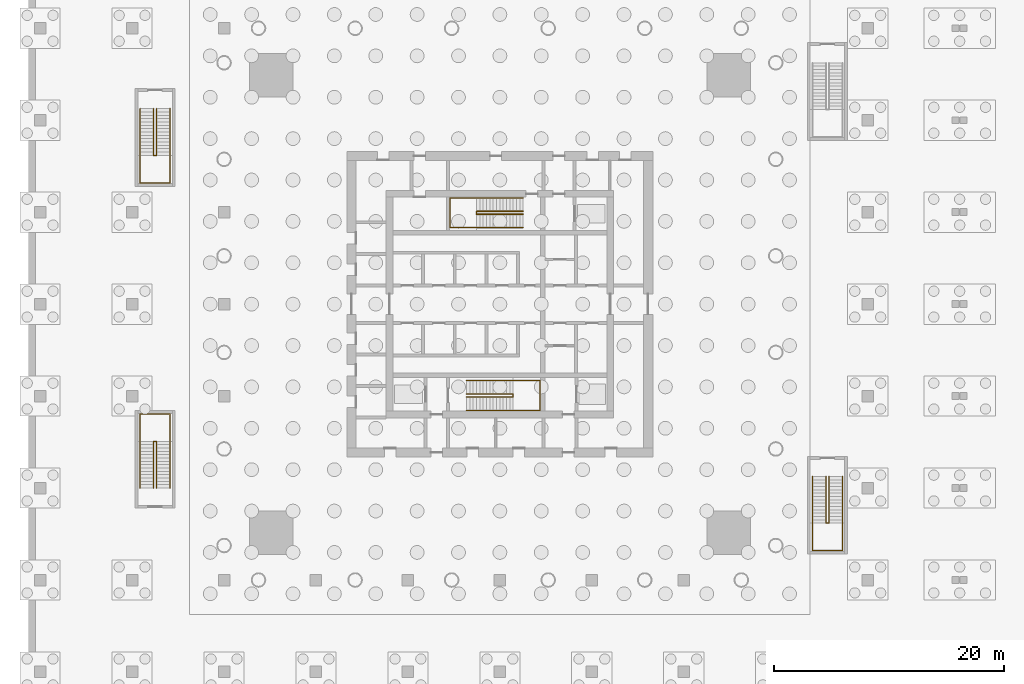
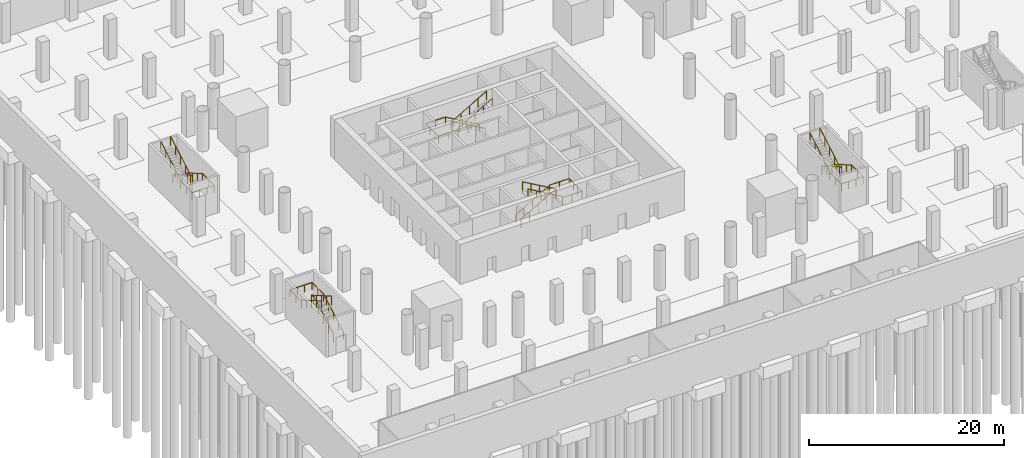
# One storey, part 21 of 24: 10 railings.
"""IFC4 building model written with IfcOpenShell, lengths in metres."""

from ifc_helpers import new_model, si_unit, direction, frame, origin, origin_2d, place, context, subcontext, project, spatial, circle, extrude, material, type_object, element, save


model = new_model("IFC4")

# Units and contexts
model_context = context("Model", 3, precision=1e-05, world=origin(), true_north=direction((0.0, 1.0)))
body_context = subcontext(model_context, "Body", "Model", "MODEL_VIEW")
ifc_project = project(units=[si_unit("LENGTHUNIT", "METRE"), si_unit("AREAUNIT", "SQUARE_METRE"), si_unit("VOLUMEUNIT", "CUBIC_METRE"), si_unit("PLANEANGLEUNIT", "RADIAN"), si_unit("MASSUNIT", "GRAM", prefix="KILO")], contexts=[model_context])

# Site, building, storey
site_placement = place(None, origin())
site = spatial("IfcSite", under=ifc_project, at=site_placement, CompositionType="ELEMENT")
building_placement = place(site_placement, origin())
building = spatial("IfcBuilding", under=site, at=building_placement, Name="Ostroluk Exchange", CompositionType="ELEMENT")
storey_placement = place(building_placement, frame((0.0, 0.0, -10.0)))
storey = spatial("IfcBuildingStorey", under=building, at=storey_placement, Name="B2", CompositionType="ELEMENT", Elevation=-10.0)

# Railings
ifc_material_1 = material(Name="Steel S355", Category="steel")
railing_type_1 = type_object("IfcRailingType", Name="Stair guard 1100", PredefinedType="GUARDRAIL", material=ifc_material_1)
railing_1_placement = place(storey_placement, frame((42.10009765625, 38.179931640625, 0.166748046875)))
element("IfcRailing", 1, at=railing_1_placement, inside=storey, type_object=railing_type_1, Name="Stair T1-S1 guard B2", PredefinedType="GUARDRAIL", context=body_context, shape_type="SweptSolid", body=[
    extrude(circle(Radius=0.02392578125, at=origin_2d()), frame((0.0, 0.0, 1.076171875), z_axis=(0.86701161382, 0.0, 0.498287930319), x_axis=(0.0, 1.0, 0.0)), (0.0, 0.0, 1.0), 4.6826171875),
    extrude(circle(Radius=0.02392578125, at=origin_2d()), frame((4.059814453125, 0.0, 3.4091796875), z_axis=(0.0, -1.0, 0.0), x_axis=(1.0, 0.0, 0.0)), (0.0, 0.0, 1.0), 0.260009765625),
    extrude(circle(Radius=0.02392578125, at=origin_2d()), frame((4.059814453125, -0.260009765625, 3.4091796875), z_axis=(0.0, 0.0, 1.0), x_axis=(1.0, 0.0, 0.0)), (0.0, 0.0, 1.0), 0.166748046875),
    extrude(circle(Radius=0.02392578125, at=origin_2d()), frame((4.059814453125, -0.260009765625, 3.576171875), z_axis=(-0.86701161382, 0.0, 0.498287930319), x_axis=(0.0, -1.0, 0.0)), (0.0, 0.0, 1.0), 4.6826171875),
    extrude(circle(Radius=0.02099609375, at=origin_2d()), origin(), (0.0, 0.0, 1.0), 1.052001953125),
    extrude(circle(Radius=0.02099609375, at=origin_2d()), frame((1.014892578125, 0.0, 0.583251953125)), (0.0, 0.0, 1.0), 1.052001953125),
    extrude(circle(Radius=0.02099609375, at=origin_2d()), frame((2.02978515625, 0.0, 1.16650390625)), (0.0, 0.0, 1.0), 1.052001953125),
    extrude(circle(Radius=0.02099609375, at=origin_2d()), frame((3.044921875, 0.0, 1.75)), (0.0, 0.0, 1.0), 1.052001953125),
    extrude(circle(Radius=0.02099609375, at=origin_2d()), frame((4.059814453125, 0.0, 2.333251953125)), (0.0, 0.0, 1.0), 1.052001953125),
    extrude(circle(Radius=0.02099609375, at=origin_2d()), frame((4.059814453125, -0.260009765625, 2.333251953125)), (0.0, 0.0, 1.0), 1.052001953125),
    extrude(circle(Radius=0.02099609375, at=origin_2d()), frame((4.059814453125, -0.260009765625, 2.5)), (0.0, 0.0, 1.0), 1.052001953125),
    extrude(circle(Radius=0.02099609375, at=origin_2d()), frame((3.044921875, -0.260009765625, 3.083251953125)), (0.0, 0.0, 1.0), 1.052001953125),
    extrude(circle(Radius=0.02099609375, at=origin_2d()), frame((2.02978515625, -0.260009765625, 3.66650390625)), (0.0, 0.0, 1.0), 1.052001953125),
    extrude(circle(Radius=0.02099609375, at=origin_2d()), frame((1.014892578125, -0.260009765625, 4.25)), (0.0, 0.0, 1.0), 1.052001953125),
    extrude(circle(Radius=0.02099609375, at=origin_2d()), frame((0.0, -0.260009765625, 4.833251953125)), (0.0, 0.0, 1.0), 1.052001953125),
])
railing_2_placement = place(storey_placement, frame((47.030029296875, 54.080078125, 0.166748046875)))
element("IfcRailing", 2, at=railing_2_placement, inside=storey, type_object=railing_type_1, Name="Stair T1-S2 guard B2", PredefinedType="GUARDRAIL", context=body_context, shape_type="SweptSolid", body=[
    extrude(circle(Radius=0.02392578125, at=origin_2d()), frame((0.0, 0.0, 1.076171875), z_axis=(-0.867024558463, 0.0, 0.498265406207), x_axis=(0.0, -1.0, 0.0)), (0.0, 0.0, 1.0), 4.682861328125),
    extrude(circle(Radius=0.02392578125, at=origin_2d()), frame((-4.06005859375, 0.0, 3.4091796875), z_axis=(0.0, -1.0, 0.0), x_axis=(1.0, 0.0, 0.0)), (0.0, 0.0, 1.0), 0.260009765625),
    extrude(circle(Radius=0.02392578125, at=origin_2d()), frame((-4.06005859375, -0.260009765625, 3.4091796875), z_axis=(0.0, 0.0, 1.0), x_axis=(1.0, 0.0, 0.0)), (0.0, 0.0, 1.0), 0.166748046875),
    extrude(circle(Radius=0.02392578125, at=origin_2d()), frame((-4.06005859375, -0.260009765625, 3.576171875), z_axis=(0.867024558463, 0.0, 0.498265406207), x_axis=(0.0, 1.0, 0.0)), (0.0, 0.0, 1.0), 4.682861328125),
    extrude(circle(Radius=0.02099609375, at=origin_2d()), origin(), (0.0, 0.0, 1.0), 1.052001953125),
    extrude(circle(Radius=0.02099609375, at=origin_2d()), frame((-1.01513671875, 0.0, 0.583251953125)), (0.0, 0.0, 1.0), 1.052001953125),
    extrude(circle(Radius=0.02099609375, at=origin_2d()), frame((-2.030029296875, 0.0, 1.16650390625)), (0.0, 0.0, 1.0), 1.052001953125),
    extrude(circle(Radius=0.02099609375, at=origin_2d()), frame((-3.044921875, 0.0, 1.75)), (0.0, 0.0, 1.0), 1.052001953125),
    extrude(circle(Radius=0.02099609375, at=origin_2d()), frame((-4.06005859375, 0.0, 2.333251953125)), (0.0, 0.0, 1.0), 1.052001953125),
    extrude(circle(Radius=0.02099609375, at=origin_2d()), frame((-4.06005859375, -0.260009765625, 2.333251953125)), (0.0, 0.0, 1.0), 1.052001953125),
    extrude(circle(Radius=0.02099609375, at=origin_2d()), frame((-4.06005859375, -0.260009765625, 2.5)), (0.0, 0.0, 1.0), 1.052001953125),
    extrude(circle(Radius=0.02099609375, at=origin_2d()), frame((-3.044921875, -0.260009765625, 3.083251953125)), (0.0, 0.0, 1.0), 1.052001953125),
    extrude(circle(Radius=0.02099609375, at=origin_2d()), frame((-2.030029296875, -0.260009765625, 3.66650390625)), (0.0, 0.0, 1.0), 1.052001953125),
    extrude(circle(Radius=0.02099609375, at=origin_2d()), frame((-1.01513671875, -0.260009765625, 4.25)), (0.0, 0.0, 1.0), 1.052001953125),
    extrude(circle(Radius=0.02099609375, at=origin_2d()), frame((0.0, -0.260009765625, 4.833251953125)), (0.0, 0.0, 1.0), 1.052001953125),
])
railing_3_placement = place(storey_placement, frame((15.1298828125, 30.0, 0.166748046875)))
element("IfcRailing", 3, at=railing_3_placement, inside=storey, type_object=railing_type_1, Name="Stair PS1 guard B2", PredefinedType="GUARDRAIL", context=body_context, shape_type="SweptSolid", body=[
    extrude(circle(Radius=0.02392578125, at=origin_2d()), frame((0.0, 0.0, 1.076171875), z_axis=(0.0, 0.867024558463, 0.498265406207), x_axis=(-1.0, 0.0, 0.0)), (0.0, 0.0, 1.0), 4.682861328125),
    extrude(circle(Radius=0.02392578125, at=origin_2d()), frame((0.0, 4.06005859375, 3.4091796875), z_axis=(-1.0, 0.0, 0.0), x_axis=(0.0, -1.0, 0.0)), (0.0, 0.0, 1.0), 0.259765625),
    extrude(circle(Radius=0.02392578125, at=origin_2d()), frame((-0.259765625, 4.06005859375, 3.4091796875), z_axis=(0.0, 0.0, 1.0), x_axis=(1.0, 0.0, 0.0)), (0.0, 0.0, 1.0), 0.166748046875),
    extrude(circle(Radius=0.02392578125, at=origin_2d()), frame((-0.259765625, 4.06005859375, 3.576171875), z_axis=(0.0, -0.867024558463, 0.498265406207), x_axis=(1.0, 0.0, 0.0)), (0.0, 0.0, 1.0), 4.682861328125),
    extrude(circle(Radius=0.02099609375, at=origin_2d()), origin(), (0.0, 0.0, 1.0), 1.052001953125),
    extrude(circle(Radius=0.02099609375, at=origin_2d()), frame((0.0, 1.01513671875, 0.583251953125)), (0.0, 0.0, 1.0), 1.052001953125),
    extrude(circle(Radius=0.02099609375, at=origin_2d()), frame((0.0, 2.030029296875, 1.16650390625)), (0.0, 0.0, 1.0), 1.052001953125),
    extrude(circle(Radius=0.02099609375, at=origin_2d()), frame((0.0, 3.044921875, 1.75)), (0.0, 0.0, 1.0), 1.052001953125),
    extrude(circle(Radius=0.02099609375, at=origin_2d()), frame((0.0, 4.06005859375, 2.333251953125)), (0.0, 0.0, 1.0), 1.052001953125),
    extrude(circle(Radius=0.02099609375, at=origin_2d()), frame((-0.259765625, 4.06005859375, 2.333251953125)), (0.0, 0.0, 1.0), 1.052001953125),
    extrude(circle(Radius=0.02099609375, at=origin_2d()), frame((-0.259765625, 4.06005859375, 2.5)), (0.0, 0.0, 1.0), 1.052001953125),
    extrude(circle(Radius=0.02099609375, at=origin_2d()), frame((-0.259765625, 3.044921875, 3.083251953125)), (0.0, 0.0, 1.0), 1.052001953125),
    extrude(circle(Radius=0.02099609375, at=origin_2d()), frame((-0.259765625, 2.030029296875, 3.66650390625)), (0.0, 0.0, 1.0), 1.052001953125),
    extrude(circle(Radius=0.02099609375, at=origin_2d()), frame((-0.259765625, 1.01513671875, 4.25)), (0.0, 0.0, 1.0), 1.052001953125),
    extrude(circle(Radius=0.02099609375, at=origin_2d()), frame((-0.259765625, 0.0, 4.833251953125)), (0.0, 0.0, 1.0), 1.052001953125),
])
railing_4_placement = place(storey_placement, frame((15.1298828125, 63.0, 0.166748046875)))
element("IfcRailing", 4, at=railing_4_placement, inside=storey, type_object=railing_type_1, Name="Stair PS2 guard B2", PredefinedType="GUARDRAIL", context=body_context, shape_type="SweptSolid", body=[
    extrude(circle(Radius=0.02392578125, at=origin_2d()), frame((0.0, 0.0, 1.076171875), z_axis=(0.0, -0.867024558463, 0.498265406207), x_axis=(1.0, 0.0, 0.0)), (0.0, 0.0, 1.0), 4.682861328125),
    extrude(circle(Radius=0.02392578125, at=origin_2d()), frame((0.0, -4.06005859375, 3.4091796875), z_axis=(-1.0, 0.0, 0.0), x_axis=(0.0, -1.0, 0.0)), (0.0, 0.0, 1.0), 0.259765625),
    extrude(circle(Radius=0.02392578125, at=origin_2d()), frame((-0.259765625, -4.06005859375, 3.4091796875), z_axis=(0.0, 0.0, 1.0), x_axis=(1.0, 0.0, 0.0)), (0.0, 0.0, 1.0), 0.166748046875),
    extrude(circle(Radius=0.02392578125, at=origin_2d()), frame((-0.259765625, -4.06005859375, 3.576171875), z_axis=(0.0, 0.867024558463, 0.498265406207), x_axis=(-1.0, 0.0, 0.0)), (0.0, 0.0, 1.0), 4.682861328125),
    extrude(circle(Radius=0.02099609375, at=origin_2d()), origin(), (0.0, 0.0, 1.0), 1.052001953125),
    extrude(circle(Radius=0.02099609375, at=origin_2d()), frame((0.0, -1.01513671875, 0.583251953125)), (0.0, 0.0, 1.0), 1.052001953125),
    extrude(circle(Radius=0.02099609375, at=origin_2d()), frame((0.0, -2.030029296875, 1.16650390625)), (0.0, 0.0, 1.0), 1.052001953125),
    extrude(circle(Radius=0.02099609375, at=origin_2d()), frame((0.0, -3.044921875, 1.75)), (0.0, 0.0, 1.0), 1.052001953125),
    extrude(circle(Radius=0.02099609375, at=origin_2d()), frame((0.0, -4.06005859375, 2.333251953125)), (0.0, 0.0, 1.0), 1.052001953125),
    extrude(circle(Radius=0.02099609375, at=origin_2d()), frame((-0.259765625, -4.06005859375, 2.333251953125)), (0.0, 0.0, 1.0), 1.052001953125),
    extrude(circle(Radius=0.02099609375, at=origin_2d()), frame((-0.259765625, -4.06005859375, 2.5)), (0.0, 0.0, 1.0), 1.052001953125),
    extrude(circle(Radius=0.02099609375, at=origin_2d()), frame((-0.259765625, -3.044921875, 3.083251953125)), (0.0, 0.0, 1.0), 1.052001953125),
    extrude(circle(Radius=0.02099609375, at=origin_2d()), frame((-0.259765625, -2.030029296875, 3.66650390625)), (0.0, 0.0, 1.0), 1.052001953125),
    extrude(circle(Radius=0.02099609375, at=origin_2d()), frame((-0.259765625, -1.01513671875, 4.25)), (0.0, 0.0, 1.0), 1.052001953125),
    extrude(circle(Radius=0.02099609375, at=origin_2d()), frame((-0.259765625, 0.0, 4.833251953125)), (0.0, 0.0, 1.0), 1.052001953125),
])
railing_5_placement = place(storey_placement, frame((73.6298828125, 31.0, 0.166748046875)))
element("IfcRailing", 5, at=railing_5_placement, inside=storey, type_object=railing_type_1, Name="Stair PS3 guard B2", PredefinedType="GUARDRAIL", context=body_context, shape_type="SweptSolid", body=[
    extrude(circle(Radius=0.02392578125, at=origin_2d()), frame((0.0, 0.0, 1.076171875), z_axis=(0.0, -0.867024558463, 0.498265406207), x_axis=(1.0, 0.0, 0.0)), (0.0, 0.0, 1.0), 4.682861328125),
    extrude(circle(Radius=0.02392578125, at=origin_2d()), frame((0.0, -4.06005859375, 3.4091796875), z_axis=(-1.0, 0.0, 0.0), x_axis=(0.0, -1.0, 0.0)), (0.0, 0.0, 1.0), 0.259765625),
    extrude(circle(Radius=0.02392578125, at=origin_2d()), frame((-0.259765625, -4.06005859375, 3.4091796875), z_axis=(0.0, 0.0, 1.0), x_axis=(1.0, 0.0, 0.0)), (0.0, 0.0, 1.0), 0.166748046875),
    extrude(circle(Radius=0.02392578125, at=origin_2d()), frame((-0.259765625, -4.06005859375, 3.576171875), z_axis=(0.0, 0.867024558463, 0.498265406207), x_axis=(-1.0, 0.0, 0.0)), (0.0, 0.0, 1.0), 4.682861328125),
    extrude(circle(Radius=0.02099609375, at=origin_2d()), origin(), (0.0, 0.0, 1.0), 1.052001953125),
    extrude(circle(Radius=0.02099609375, at=origin_2d()), frame((0.0, -1.01513671875, 0.583251953125)), (0.0, 0.0, 1.0), 1.052001953125),
    extrude(circle(Radius=0.02099609375, at=origin_2d()), frame((0.0, -2.030029296875, 1.16650390625)), (0.0, 0.0, 1.0), 1.052001953125),
    extrude(circle(Radius=0.02099609375, at=origin_2d()), frame((0.0, -3.044921875, 1.75)), (0.0, 0.0, 1.0), 1.052001953125),
    extrude(circle(Radius=0.02099609375, at=origin_2d()), frame((0.0, -4.06005859375, 2.333251953125)), (0.0, 0.0, 1.0), 1.052001953125),
    extrude(circle(Radius=0.02099609375, at=origin_2d()), frame((-0.259765625, -4.06005859375, 2.333251953125)), (0.0, 0.0, 1.0), 1.052001953125),
    extrude(circle(Radius=0.02099609375, at=origin_2d()), frame((-0.259765625, -4.06005859375, 2.5)), (0.0, 0.0, 1.0), 1.052001953125),
    extrude(circle(Radius=0.02099609375, at=origin_2d()), frame((-0.259765625, -3.044921875, 3.083251953125)), (0.0, 0.0, 1.0), 1.052001953125),
    extrude(circle(Radius=0.02099609375, at=origin_2d()), frame((-0.259765625, -2.030029296875, 3.66650390625)), (0.0, 0.0, 1.0), 1.052001953125),
    extrude(circle(Radius=0.02099609375, at=origin_2d()), frame((-0.259765625, -1.01513671875, 4.25)), (0.0, 0.0, 1.0), 1.052001953125),
    extrude(circle(Radius=0.02099609375, at=origin_2d()), frame((-0.259765625, 0.0, 4.833251953125)), (0.0, 0.0, 1.0), 1.052001953125),
])
ifc_material_2 = material(Name="Stainless steel", Category="steel")
railing_type_2 = type_object("IfcRailingType", Name="Stair handrail 900", PredefinedType="HANDRAIL", material=ifc_material_2)
railing_6_placement = place(storey_placement, frame((42.10009765625, 39.35009765625, 0.166748046875)))
element("IfcRailing", 6, at=railing_6_placement, inside=storey, type_object=railing_type_2, Name="Stair T1-S1 handrail B2", PredefinedType="HANDRAIL", context=body_context, shape_type="SweptSolid", body=[
    extrude(circle(Radius=0.02392578125, at=origin_2d()), frame((0.0, 0.0, 0.8759765625), z_axis=(0.86701161382, 0.0, 0.498287930319), x_axis=(0.0, 1.0, 0.0)), (0.0, 0.0, 1.0), 4.6826171875),
    extrude(circle(Radius=0.02392578125, at=origin_2d()), frame((4.059814453125, 0.0, 3.208984375), z_axis=(1.0, 0.0, 0.0), x_axis=(0.0, 1.0, 0.0)), (0.0, 0.0, 1.0), 2.320068359375),
    extrude(circle(Radius=0.02392578125, at=origin_2d()), frame((6.3798828125, 0.0, 3.208984375), z_axis=(0.0, -1.0, 0.0), x_axis=(1.0, 0.0, 0.0)), (0.0, 0.0, 1.0), 2.60009765625),
    extrude(circle(Radius=0.02392578125, at=origin_2d()), frame((6.3798828125, -2.60009765625, 3.208984375), z_axis=(-1.0, 0.0, 0.0), x_axis=(0.0, -1.0, 0.0)), (0.0, 0.0, 1.0), 2.320068359375),
    extrude(circle(Radius=0.02392578125, at=origin_2d()), frame((4.059814453125, -2.60009765625, 3.208984375), z_axis=(0.0, 0.0, 1.0), x_axis=(1.0, 0.0, 0.0)), (0.0, 0.0, 1.0), 0.166748046875),
    extrude(circle(Radius=0.02392578125, at=origin_2d()), frame((4.059814453125, -2.60009765625, 3.3759765625), z_axis=(-0.86701161382, 0.0, 0.498287930319), x_axis=(0.0, -1.0, 0.0)), (0.0, 0.0, 1.0), 4.6826171875),
    extrude(circle(Radius=0.02099609375, at=origin_2d()), origin(), (0.0, 0.0, 1.0), 0.851806640625),
    extrude(circle(Radius=0.02099609375, at=origin_2d()), frame((1.014892578125, 0.0, 0.583251953125)), (0.0, 0.0, 1.0), 0.851806640625),
    extrude(circle(Radius=0.02099609375, at=origin_2d()), frame((2.02978515625, 0.0, 1.16650390625)), (0.0, 0.0, 1.0), 0.851806640625),
    extrude(circle(Radius=0.02099609375, at=origin_2d()), frame((3.044921875, 0.0, 1.75)), (0.0, 0.0, 1.0), 0.851806640625),
    extrude(circle(Radius=0.02099609375, at=origin_2d()), frame((4.059814453125, 0.0, 2.333251953125)), (0.0, 0.0, 1.0), 0.851806640625),
    extrude(circle(Radius=0.02099609375, at=origin_2d()), frame((5.2197265625, 0.0, 2.333251953125)), (0.0, 0.0, 1.0), 0.851806640625),
    extrude(circle(Radius=0.02099609375, at=origin_2d()), frame((6.3798828125, 0.0, 2.333251953125)), (0.0, 0.0, 1.0), 0.851806640625),
    extrude(circle(Radius=0.02099609375, at=origin_2d()), frame((6.3798828125, -0.86669921875, 2.333251953125)), (0.0, 0.0, 1.0), 0.851806640625),
    extrude(circle(Radius=0.02099609375, at=origin_2d()), frame((6.3798828125, -1.7333984375, 2.333251953125)), (0.0, 0.0, 1.0), 0.851806640625),
    extrude(circle(Radius=0.02099609375, at=origin_2d()), frame((6.3798828125, -2.60009765625, 2.333251953125)), (0.0, 0.0, 1.0), 0.851806640625),
    extrude(circle(Radius=0.02099609375, at=origin_2d()), frame((5.2197265625, -2.60009765625, 2.333251953125)), (0.0, 0.0, 1.0), 0.851806640625),
    extrude(circle(Radius=0.02099609375, at=origin_2d()), frame((4.059814453125, -2.60009765625, 2.333251953125)), (0.0, 0.0, 1.0), 0.851806640625),
    extrude(circle(Radius=0.02099609375, at=origin_2d()), frame((4.059814453125, -2.60009765625, 2.5)), (0.0, 0.0, 1.0), 0.851806640625),
    extrude(circle(Radius=0.02099609375, at=origin_2d()), frame((3.044921875, -2.60009765625, 3.083251953125)), (0.0, 0.0, 1.0), 0.851806640625),
    extrude(circle(Radius=0.02099609375, at=origin_2d()), frame((2.02978515625, -2.60009765625, 3.66650390625)), (0.0, 0.0, 1.0), 0.851806640625),
    extrude(circle(Radius=0.02099609375, at=origin_2d()), frame((1.014892578125, -2.60009765625, 4.25)), (0.0, 0.0, 1.0), 0.851806640625),
    extrude(circle(Radius=0.02099609375, at=origin_2d()), frame((0.0, -2.60009765625, 4.833251953125)), (0.0, 0.0, 1.0), 0.851806640625),
])
railing_7_placement = place(storey_placement, frame((47.030029296875, 55.25, 0.166748046875)))
element("IfcRailing", 7, at=railing_7_placement, inside=storey, type_object=railing_type_2, Name="Stair T1-S2 handrail B2", PredefinedType="HANDRAIL", context=body_context, shape_type="SweptSolid", body=[
    extrude(circle(Radius=0.02392578125, at=origin_2d()), frame((0.0, 0.0, 0.8759765625), z_axis=(-0.867024558463, 0.0, 0.498265406207), x_axis=(0.0, -1.0, 0.0)), (0.0, 0.0, 1.0), 4.682861328125),
    extrude(circle(Radius=0.02392578125, at=origin_2d()), frame((-4.06005859375, 0.0, 3.208984375), z_axis=(-1.0, 0.0, 0.0), x_axis=(0.0, -1.0, 0.0)), (0.0, 0.0, 1.0), 2.320068359375),
    extrude(circle(Radius=0.02392578125, at=origin_2d()), frame((-6.380126953125, 0.0, 3.208984375), z_axis=(0.0, -1.0, 0.0), x_axis=(1.0, 0.0, 0.0)), (0.0, 0.0, 1.0), 2.60009765625),
    extrude(circle(Radius=0.02392578125, at=origin_2d()), frame((-6.380126953125, -2.60009765625, 3.208984375), z_axis=(1.0, 0.0, 0.0), x_axis=(0.0, 1.0, 0.0)), (0.0, 0.0, 1.0), 2.320068359375),
    extrude(circle(Radius=0.02392578125, at=origin_2d()), frame((-4.06005859375, -2.60009765625, 3.208984375), z_axis=(0.0, 0.0, 1.0), x_axis=(1.0, 0.0, 0.0)), (0.0, 0.0, 1.0), 0.166748046875),
    extrude(circle(Radius=0.02392578125, at=origin_2d()), frame((-4.06005859375, -2.60009765625, 3.3759765625), z_axis=(0.867024558463, 0.0, 0.498265406207), x_axis=(0.0, 1.0, 0.0)), (0.0, 0.0, 1.0), 4.682861328125),
    extrude(circle(Radius=0.02099609375, at=origin_2d()), origin(), (0.0, 0.0, 1.0), 0.851806640625),
    extrude(circle(Radius=0.02099609375, at=origin_2d()), frame((-1.01513671875, 0.0, 0.583251953125)), (0.0, 0.0, 1.0), 0.851806640625),
    extrude(circle(Radius=0.02099609375, at=origin_2d()), frame((-2.030029296875, 0.0, 1.16650390625)), (0.0, 0.0, 1.0), 0.851806640625),
    extrude(circle(Radius=0.02099609375, at=origin_2d()), frame((-3.044921875, 0.0, 1.75)), (0.0, 0.0, 1.0), 0.851806640625),
    extrude(circle(Radius=0.02099609375, at=origin_2d()), frame((-4.06005859375, 0.0, 2.333251953125)), (0.0, 0.0, 1.0), 0.851806640625),
    extrude(circle(Radius=0.02099609375, at=origin_2d()), frame((-5.22021484375, 0.0, 2.333251953125)), (0.0, 0.0, 1.0), 0.851806640625),
    extrude(circle(Radius=0.02099609375, at=origin_2d()), frame((-6.380126953125, 0.0, 2.333251953125)), (0.0, 0.0, 1.0), 0.851806640625),
    extrude(circle(Radius=0.02099609375, at=origin_2d()), frame((-6.380126953125, -0.86669921875, 2.333251953125)), (0.0, 0.0, 1.0), 0.851806640625),
    extrude(circle(Radius=0.02099609375, at=origin_2d()), frame((-6.380126953125, -1.7333984375, 2.333251953125)), (0.0, 0.0, 1.0), 0.851806640625),
    extrude(circle(Radius=0.02099609375, at=origin_2d()), frame((-6.380126953125, -2.60009765625, 2.333251953125)), (0.0, 0.0, 1.0), 0.851806640625),
    extrude(circle(Radius=0.02099609375, at=origin_2d()), frame((-5.22021484375, -2.60009765625, 2.333251953125)), (0.0, 0.0, 1.0), 0.851806640625),
    extrude(circle(Radius=0.02099609375, at=origin_2d()), frame((-4.06005859375, -2.60009765625, 2.333251953125)), (0.0, 0.0, 1.0), 0.851806640625),
    extrude(circle(Radius=0.02099609375, at=origin_2d()), frame((-4.06005859375, -2.60009765625, 2.5)), (0.0, 0.0, 1.0), 0.851806640625),
    extrude(circle(Radius=0.02099609375, at=origin_2d()), frame((-3.044921875, -2.60009765625, 3.083251953125)), (0.0, 0.0, 1.0), 0.851806640625),
    extrude(circle(Radius=0.02099609375, at=origin_2d()), frame((-2.030029296875, -2.60009765625, 3.66650390625)), (0.0, 0.0, 1.0), 0.851806640625),
    extrude(circle(Radius=0.02099609375, at=origin_2d()), frame((-1.01513671875, -2.60009765625, 4.25)), (0.0, 0.0, 1.0), 0.851806640625),
    extrude(circle(Radius=0.02099609375, at=origin_2d()), frame((0.0, -2.60009765625, 4.833251953125)), (0.0, 0.0, 1.0), 0.851806640625),
])
railing_8_placement = place(storey_placement, frame((16.300048828125, 30.0, 0.166748046875)))
element("IfcRailing", 8, at=railing_8_placement, inside=storey, type_object=railing_type_2, Name="Stair PS1 handrail B2", PredefinedType="HANDRAIL", context=body_context, shape_type="SweptSolid", body=[
    extrude(circle(Radius=0.02392578125, at=origin_2d()), frame((0.0, 0.0, 0.8759765625), z_axis=(0.0, 0.867024558463, 0.498265406207), x_axis=(-1.0, 0.0, 0.0)), (0.0, 0.0, 1.0), 4.682861328125),
    extrude(circle(Radius=0.02392578125, at=origin_2d()), frame((0.0, 4.06005859375, 3.208984375), z_axis=(0.0, 1.0, 0.0), x_axis=(-1.0, 0.0, 0.0)), (0.0, 0.0, 1.0), 2.389892578125),
    extrude(circle(Radius=0.02392578125, at=origin_2d()), frame((0.0, 6.449951171875, 3.208984375), z_axis=(-1.0, 0.0, 0.0), x_axis=(0.0, -1.0, 0.0)), (0.0, 0.0, 1.0), 2.60009765625),
    extrude(circle(Radius=0.02392578125, at=origin_2d()), frame((-2.60009765625, 6.449951171875, 3.208984375), z_axis=(0.0, -1.0, 0.0), x_axis=(1.0, 0.0, 0.0)), (0.0, 0.0, 1.0), 2.389892578125),
    extrude(circle(Radius=0.02392578125, at=origin_2d()), frame((-2.60009765625, 4.06005859375, 3.208984375), z_axis=(0.0, 0.0, 1.0), x_axis=(1.0, 0.0, 0.0)), (0.0, 0.0, 1.0), 0.166748046875),
    extrude(circle(Radius=0.02392578125, at=origin_2d()), frame((-2.60009765625, 4.06005859375, 3.3759765625), z_axis=(0.0, -0.867024558463, 0.498265406207), x_axis=(1.0, 0.0, 0.0)), (0.0, 0.0, 1.0), 4.682861328125),
    extrude(circle(Radius=0.02099609375, at=origin_2d()), origin(), (0.0, 0.0, 1.0), 0.851806640625),
    extrude(circle(Radius=0.02099609375, at=origin_2d()), frame((0.0, 1.01513671875, 0.583251953125)), (0.0, 0.0, 1.0), 0.851806640625),
    extrude(circle(Radius=0.02099609375, at=origin_2d()), frame((0.0, 2.030029296875, 1.16650390625)), (0.0, 0.0, 1.0), 0.851806640625),
    extrude(circle(Radius=0.02099609375, at=origin_2d()), frame((0.0, 3.044921875, 1.75)), (0.0, 0.0, 1.0), 0.851806640625),
    extrude(circle(Radius=0.02099609375, at=origin_2d()), frame((0.0, 4.06005859375, 2.333251953125)), (0.0, 0.0, 1.0), 0.851806640625),
    extrude(circle(Radius=0.02099609375, at=origin_2d()), frame((0.0, 5.2548828125, 2.333251953125)), (0.0, 0.0, 1.0), 0.851806640625),
    extrude(circle(Radius=0.02099609375, at=origin_2d()), frame((0.0, 6.449951171875, 2.333251953125)), (0.0, 0.0, 1.0), 0.851806640625),
    extrude(circle(Radius=0.02099609375, at=origin_2d()), frame((-0.86669921875, 6.449951171875, 2.333251953125)), (0.0, 0.0, 1.0), 0.851806640625),
    extrude(circle(Radius=0.02099609375, at=origin_2d()), frame((-1.7333984375, 6.449951171875, 2.333251953125)), (0.0, 0.0, 1.0), 0.851806640625),
    extrude(circle(Radius=0.02099609375, at=origin_2d()), frame((-2.60009765625, 6.449951171875, 2.333251953125)), (0.0, 0.0, 1.0), 0.851806640625),
    extrude(circle(Radius=0.02099609375, at=origin_2d()), frame((-2.60009765625, 5.2548828125, 2.333251953125)), (0.0, 0.0, 1.0), 0.851806640625),
    extrude(circle(Radius=0.02099609375, at=origin_2d()), frame((-2.60009765625, 4.06005859375, 2.333251953125)), (0.0, 0.0, 1.0), 0.851806640625),
    extrude(circle(Radius=0.02099609375, at=origin_2d()), frame((-2.60009765625, 4.06005859375, 2.5)), (0.0, 0.0, 1.0), 0.851806640625),
    extrude(circle(Radius=0.02099609375, at=origin_2d()), frame((-2.60009765625, 3.044921875, 3.083251953125)), (0.0, 0.0, 1.0), 0.851806640625),
    extrude(circle(Radius=0.02099609375, at=origin_2d()), frame((-2.60009765625, 2.030029296875, 3.66650390625)), (0.0, 0.0, 1.0), 0.851806640625),
    extrude(circle(Radius=0.02099609375, at=origin_2d()), frame((-2.60009765625, 1.01513671875, 4.25)), (0.0, 0.0, 1.0), 0.851806640625),
    extrude(circle(Radius=0.02099609375, at=origin_2d()), frame((-2.60009765625, 0.0, 4.833251953125)), (0.0, 0.0, 1.0), 0.851806640625),
])
railing_9_placement = place(storey_placement, frame((16.300048828125, 63.0, 0.166748046875)))
element("IfcRailing", 9, at=railing_9_placement, inside=storey, type_object=railing_type_2, Name="Stair PS2 handrail B2", PredefinedType="HANDRAIL", context=body_context, shape_type="SweptSolid", body=[
    extrude(circle(Radius=0.02392578125, at=origin_2d()), frame((0.0, 0.0, 0.8759765625), z_axis=(0.0, -0.867024558463, 0.498265406207), x_axis=(1.0, 0.0, 0.0)), (0.0, 0.0, 1.0), 4.682861328125),
    extrude(circle(Radius=0.02392578125, at=origin_2d()), frame((0.0, -4.06005859375, 3.208984375), z_axis=(0.0, -1.0, 0.0), x_axis=(1.0, 0.0, 0.0)), (0.0, 0.0, 1.0), 2.389892578125),
    extrude(circle(Radius=0.02392578125, at=origin_2d()), frame((0.0, -6.449951171875, 3.208984375), z_axis=(-1.0, 0.0, 0.0), x_axis=(0.0, -1.0, 0.0)), (0.0, 0.0, 1.0), 2.60009765625),
    extrude(circle(Radius=0.02392578125, at=origin_2d()), frame((-2.60009765625, -6.449951171875, 3.208984375), z_axis=(0.0, 1.0, 0.0), x_axis=(-1.0, 0.0, 0.0)), (0.0, 0.0, 1.0), 2.389892578125),
    extrude(circle(Radius=0.02392578125, at=origin_2d()), frame((-2.60009765625, -4.06005859375, 3.208984375), z_axis=(0.0, 0.0, 1.0), x_axis=(1.0, 0.0, 0.0)), (0.0, 0.0, 1.0), 0.166748046875),
    extrude(circle(Radius=0.02392578125, at=origin_2d()), frame((-2.60009765625, -4.06005859375, 3.3759765625), z_axis=(0.0, 0.867024558463, 0.498265406207), x_axis=(-1.0, 0.0, 0.0)), (0.0, 0.0, 1.0), 4.682861328125),
    extrude(circle(Radius=0.02099609375, at=origin_2d()), origin(), (0.0, 0.0, 1.0), 0.851806640625),
    extrude(circle(Radius=0.02099609375, at=origin_2d()), frame((0.0, -1.01513671875, 0.583251953125)), (0.0, 0.0, 1.0), 0.851806640625),
    extrude(circle(Radius=0.02099609375, at=origin_2d()), frame((0.0, -2.030029296875, 1.16650390625)), (0.0, 0.0, 1.0), 0.851806640625),
    extrude(circle(Radius=0.02099609375, at=origin_2d()), frame((0.0, -3.044921875, 1.75)), (0.0, 0.0, 1.0), 0.851806640625),
    extrude(circle(Radius=0.02099609375, at=origin_2d()), frame((0.0, -4.06005859375, 2.333251953125)), (0.0, 0.0, 1.0), 0.851806640625),
    extrude(circle(Radius=0.02099609375, at=origin_2d()), frame((0.0, -5.2548828125, 2.333251953125)), (0.0, 0.0, 1.0), 0.851806640625),
    extrude(circle(Radius=0.02099609375, at=origin_2d()), frame((0.0, -6.449951171875, 2.333251953125)), (0.0, 0.0, 1.0), 0.851806640625),
    extrude(circle(Radius=0.02099609375, at=origin_2d()), frame((-0.86669921875, -6.449951171875, 2.333251953125)), (0.0, 0.0, 1.0), 0.851806640625),
    extrude(circle(Radius=0.02099609375, at=origin_2d()), frame((-1.7333984375, -6.449951171875, 2.333251953125)), (0.0, 0.0, 1.0), 0.851806640625),
    extrude(circle(Radius=0.02099609375, at=origin_2d()), frame((-2.60009765625, -6.449951171875, 2.333251953125)), (0.0, 0.0, 1.0), 0.851806640625),
    extrude(circle(Radius=0.02099609375, at=origin_2d()), frame((-2.60009765625, -5.2548828125, 2.333251953125)), (0.0, 0.0, 1.0), 0.851806640625),
    extrude(circle(Radius=0.02099609375, at=origin_2d()), frame((-2.60009765625, -4.06005859375, 2.333251953125)), (0.0, 0.0, 1.0), 0.851806640625),
    extrude(circle(Radius=0.02099609375, at=origin_2d()), frame((-2.60009765625, -4.06005859375, 2.5)), (0.0, 0.0, 1.0), 0.851806640625),
    extrude(circle(Radius=0.02099609375, at=origin_2d()), frame((-2.60009765625, -3.044921875, 3.083251953125)), (0.0, 0.0, 1.0), 0.851806640625),
    extrude(circle(Radius=0.02099609375, at=origin_2d()), frame((-2.60009765625, -2.030029296875, 3.66650390625)), (0.0, 0.0, 1.0), 0.851806640625),
    extrude(circle(Radius=0.02099609375, at=origin_2d()), frame((-2.60009765625, -1.01513671875, 4.25)), (0.0, 0.0, 1.0), 0.851806640625),
    extrude(circle(Radius=0.02099609375, at=origin_2d()), frame((-2.60009765625, 0.0, 4.833251953125)), (0.0, 0.0, 1.0), 0.851806640625),
])
railing_10_placement = place(storey_placement, frame((74.800048828125, 31.0, 0.166748046875)))
element("IfcRailing", 10, at=railing_10_placement, inside=storey, type_object=railing_type_2, Name="Stair PS3 handrail B2", PredefinedType="HANDRAIL", context=body_context, shape_type="SweptSolid", body=[
    extrude(circle(Radius=0.02392578125, at=origin_2d()), frame((0.0, 0.0, 0.8759765625), z_axis=(0.0, -0.867024558463, 0.498265406207), x_axis=(1.0, 0.0, 0.0)), (0.0, 0.0, 1.0), 4.682861328125),
    extrude(circle(Radius=0.02392578125, at=origin_2d()), frame((0.0, -4.06005859375, 3.208984375), z_axis=(0.0, -1.0, 0.0), x_axis=(1.0, 0.0, 0.0)), (0.0, 0.0, 1.0), 2.389892578125),
    extrude(circle(Radius=0.02392578125, at=origin_2d()), frame((0.0, -6.449951171875, 3.208984375), z_axis=(-1.0, 0.0, 0.0), x_axis=(0.0, -1.0, 0.0)), (0.0, 0.0, 1.0), 2.60009765625),
    extrude(circle(Radius=0.02392578125, at=origin_2d()), frame((-2.60009765625, -6.449951171875, 3.208984375), z_axis=(0.0, 1.0, 0.0), x_axis=(-1.0, 0.0, 0.0)), (0.0, 0.0, 1.0), 2.389892578125),
    extrude(circle(Radius=0.02392578125, at=origin_2d()), frame((-2.60009765625, -4.06005859375, 3.208984375), z_axis=(0.0, 0.0, 1.0), x_axis=(1.0, 0.0, 0.0)), (0.0, 0.0, 1.0), 0.166748046875),
    extrude(circle(Radius=0.02392578125, at=origin_2d()), frame((-2.60009765625, -4.06005859375, 3.3759765625), z_axis=(0.0, 0.867024558463, 0.498265406207), x_axis=(-1.0, 0.0, 0.0)), (0.0, 0.0, 1.0), 4.682861328125),
    extrude(circle(Radius=0.02099609375, at=origin_2d()), origin(), (0.0, 0.0, 1.0), 0.851806640625),
    extrude(circle(Radius=0.02099609375, at=origin_2d()), frame((0.0, -1.01513671875, 0.583251953125)), (0.0, 0.0, 1.0), 0.851806640625),
    extrude(circle(Radius=0.02099609375, at=origin_2d()), frame((0.0, -2.030029296875, 1.16650390625)), (0.0, 0.0, 1.0), 0.851806640625),
    extrude(circle(Radius=0.02099609375, at=origin_2d()), frame((0.0, -3.044921875, 1.75)), (0.0, 0.0, 1.0), 0.851806640625),
    extrude(circle(Radius=0.02099609375, at=origin_2d()), frame((0.0, -4.06005859375, 2.333251953125)), (0.0, 0.0, 1.0), 0.851806640625),
    extrude(circle(Radius=0.02099609375, at=origin_2d()), frame((0.0, -5.2548828125, 2.333251953125)), (0.0, 0.0, 1.0), 0.851806640625),
    extrude(circle(Radius=0.02099609375, at=origin_2d()), frame((0.0, -6.449951171875, 2.333251953125)), (0.0, 0.0, 1.0), 0.851806640625),
    extrude(circle(Radius=0.02099609375, at=origin_2d()), frame((-0.86669921875, -6.449951171875, 2.333251953125)), (0.0, 0.0, 1.0), 0.851806640625),
    extrude(circle(Radius=0.02099609375, at=origin_2d()), frame((-1.7333984375, -6.449951171875, 2.333251953125)), (0.0, 0.0, 1.0), 0.851806640625),
    extrude(circle(Radius=0.02099609375, at=origin_2d()), frame((-2.60009765625, -6.449951171875, 2.333251953125)), (0.0, 0.0, 1.0), 0.851806640625),
    extrude(circle(Radius=0.02099609375, at=origin_2d()), frame((-2.60009765625, -5.2548828125, 2.333251953125)), (0.0, 0.0, 1.0), 0.851806640625),
    extrude(circle(Radius=0.02099609375, at=origin_2d()), frame((-2.60009765625, -4.06005859375, 2.333251953125)), (0.0, 0.0, 1.0), 0.851806640625),
    extrude(circle(Radius=0.02099609375, at=origin_2d()), frame((-2.60009765625, -4.06005859375, 2.5)), (0.0, 0.0, 1.0), 0.851806640625),
    extrude(circle(Radius=0.02099609375, at=origin_2d()), frame((-2.60009765625, -3.044921875, 3.083251953125)), (0.0, 0.0, 1.0), 0.851806640625),
    extrude(circle(Radius=0.02099609375, at=origin_2d()), frame((-2.60009765625, -2.030029296875, 3.66650390625)), (0.0, 0.0, 1.0), 0.851806640625),
    extrude(circle(Radius=0.02099609375, at=origin_2d()), frame((-2.60009765625, -1.01513671875, 4.25)), (0.0, 0.0, 1.0), 0.851806640625),
    extrude(circle(Radius=0.02099609375, at=origin_2d()), frame((-2.60009765625, 0.0, 4.833251953125)), (0.0, 0.0, 1.0), 0.851806640625),
])

save(model, "model.ifc")
